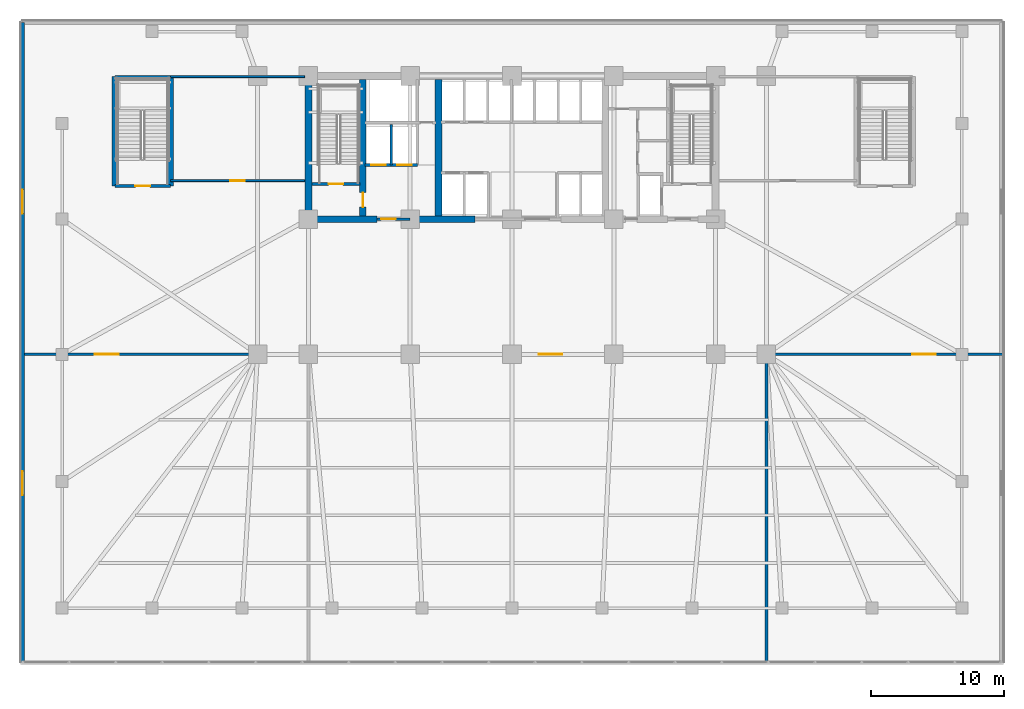
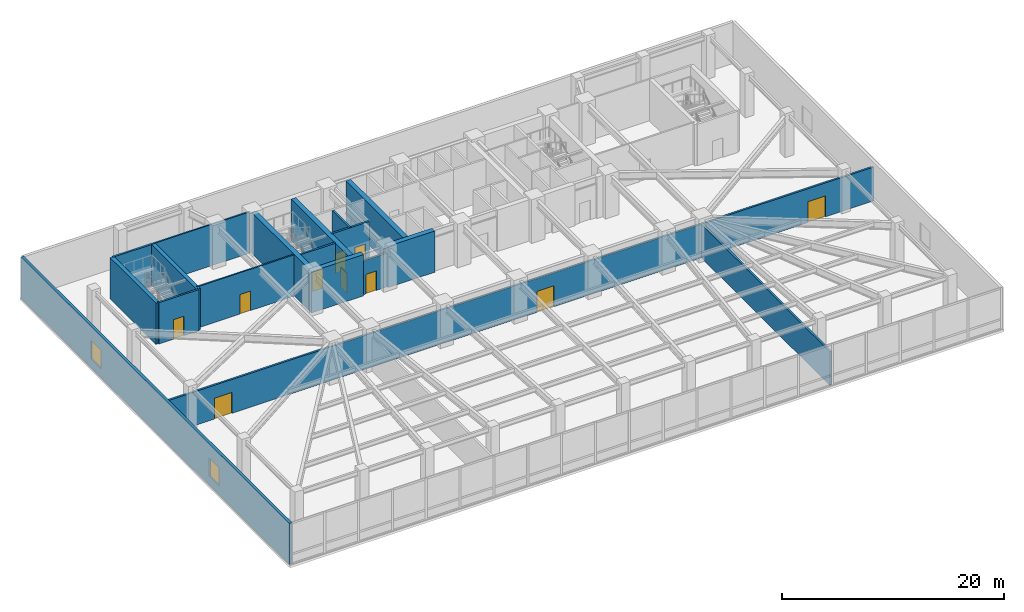
# One storey, part 12 of 19: 18 walls, 10 doors, 2 windows, 12 openings.
"""IFC4 building model written with IfcOpenShell, lengths in metres."""

from ifc_helpers import new_model, si_unit, direction, frame, frame_2d, origin, place, context, subcontext, project, spatial, rectangle, extrude, material, layer, layer_set, type_object, element, fill, save


model = new_model("IFC4")

# Units and contexts
model_context = context("Model", 3, precision=1e-05, world=origin(), true_north=direction((0.0, 1.0)))
body_context = subcontext(model_context, "Body", "Model", "MODEL_VIEW")
ifc_project = project(units=[si_unit("LENGTHUNIT", "METRE"), si_unit("AREAUNIT", "SQUARE_METRE"), si_unit("VOLUMEUNIT", "CUBIC_METRE"), si_unit("PLANEANGLEUNIT", "RADIAN"), si_unit("MASSUNIT", "GRAM", prefix="KILO")], contexts=[model_context])

# Site, building, storey
site_placement = place(None, origin())
site = spatial("IfcSite", under=ifc_project, at=site_placement, CompositionType="ELEMENT")
building_placement = place(site_placement, origin())
building = spatial("IfcBuilding", under=site, at=building_placement, Name="Yelkora Congress Tower", CompositionType="ELEMENT")
storey_placement = place(building_placement, frame((0.0, 0.0, 15.60009765625)))
storey = spatial("IfcBuildingStorey", under=building, at=storey_placement, Name="L03", CompositionType="ELEMENT", Elevation=15.60009765625)

# Walls
ifc_material_1 = material(Name="Concrete C50/60", Category="concrete")
ifc_layer_1 = layer(ifc_material_1, 0.39990234375)
ifc_layer_set_1 = layer_set([ifc_layer_1], Name="Concrete C50/60")
wall_type_1 = type_object("IfcWallType", Name="WALL-CORE-INT-400", PredefinedType="SHEAR", material=ifc_layer_set_1)
for number, where, z_axis, x_axis, name in (
    (1, (8.39990234375, 37.89990234375, 0.0), (0.0, 0.0, 1.0), (0.0, 1.0, 0.0), "L03 STP1 West Shear Wall"),
    (2, (12.659912109375, 37.89990234375, 0.0), (0.0, 0.0, 1.0), (0.0, 1.0, 0.0), "L03 STP1 East Shear Wall"),
):
    element("IfcWall", number, at=place(storey_placement, frame(where, z_axis=z_axis, x_axis=x_axis)), inside=storey, type_object=wall_type_1, Name=name, PredefinedType="SHEAR", context=body_context, shape_type="SweptSolid", body=[
        extrude(rectangle(XDim=8.25, YDim=0.39990234375, at=frame_2d((4.125, 0.0))), origin(), (0.0, 0.0, 1.0), 4.539794921875),
    ])
ifc_material_2 = material(Name="Concrete C60/75", Category="concrete")
ifc_layer_2 = layer(ifc_material_2, 0.5)
ifc_layer_set_2 = layer_set([ifc_layer_2], Name="Concrete C60/75")
wall_type_2 = type_object("IfcWallType", Name="WALL-CORE-INT-500", PredefinedType="SHEAR", material=ifc_layer_set_2)
wall_1_placement = place(storey_placement, frame((22.7900390625, 35.39990234375, 0.0), z_axis=(0.0, 0.0, 1.0), x_axis=(1.0, 0.0, 0.0)))
element("IfcWall", 3, at=wall_1_placement, inside=storey, type_object=wall_type_2, Name="L03 Rear Core South-West Shear Wall", PredefinedType="SHEAR", context=body_context, shape_type="SweptSolid", body=[
    extrude(rectangle(XDim=5.409912109375, YDim=0.5, at=frame_2d((2.705078125, 0.0))), origin(), (0.0, 0.0, 1.0), 4.539794921875),
])
wall_2_placement = place(storey_placement, frame((30.719970703125, 35.39990234375, 0.0), z_axis=(0.0, 0.0, 1.0), x_axis=(1.0, 0.0, 0.0)))
element("IfcWall", 4, at=wall_2_placement, inside=storey, type_object=wall_type_2, Name="L03 Rear Core South-Center Shear Pier", PredefinedType="SHEAR", context=body_context, shape_type="SweptSolid", body=[
    extrude(rectangle(XDim=4.880126953125, YDim=0.5, at=frame_2d((2.43994140625, 0.0))), origin(), (0.0, 0.0, 1.0), 4.539794921875),
])
wall_3_placement = place(storey_placement, frame((23.0400390625, 35.64990234375, 0.0), z_axis=(0.0, 0.0, 1.0), x_axis=(0.0, 1.0, 0.0)))
element("IfcWall", 5, at=wall_3_placement, inside=storey, type_object=wall_type_2, Name="L03 Rear Core Cross Shear Wall W", PredefinedType="SHEAR", context=body_context, shape_type="SweptSolid", body=[
    extrude(rectangle(XDim=10.300048828125, YDim=0.5, at=frame_2d((5.14990234375, 0.0))), origin(), (0.0, 0.0, 1.0), 4.539794921875),
])

# Wall, opening, door
wall_4_placement = place(storey_placement, frame((27.14990234375, 35.64990234375, 0.0), z_axis=(0.0, 0.0, 1.0), x_axis=(0.0, 1.0, 0.0)))
wall_4 = element("IfcWall", 6, at=wall_4_placement, inside=storey, type_object=wall_type_2, Name="L03 Rear Core Cross Shear Wall C1", PredefinedType="SHEAR", context=body_context, shape_type="SweptSolid", body=[
    extrude(rectangle(XDim=10.300048828125, YDim=0.5, at=frame_2d((5.14990234375, 0.0))), origin(), (0.0, 0.0, 1.0), 4.539794921875),
])
opening_1_placement = place(wall_4_placement, frame((0.64990234375, 0.0, 0.0)))
opening_1 = element("IfcOpeningElement", 7, at=opening_1_placement, cuts=wall_4, Name="Opening DR-110F9", PredefinedType="OPENING", context=body_context, shape_type="SweptSolid", body=[
    extrude(rectangle(XDim=1.10009765625, YDim=2.14990234375, at=frame_2d((0.550048828125, 1.074951171875))), frame((0.0, 0.260009765625, 0.0), z_axis=(0.0, -1.0, 0.0), x_axis=(1.0, 0.0, 0.0)), (0.0, 0.0, 1.0), 0.52001953125),
])
ifc_material_3 = material(Name="Galvanised steel fire door leaf", Category="steel")
door_type_1 = type_object("IfcDoorType", Name="DOOR-FD90-1100", OperationType="NOTDEFINED", PredefinedType="DOOR", material=ifc_material_3)
door_1_placement = place(opening_1_placement, origin())
door_1 = element("IfcDoor", 8, at=door_1_placement, inside=storey, type_object=door_type_1, Name="L03 Firefighting Stair Transfer Door", OperationType="SINGLE_SWING_LEFT", OverallHeight=2.14990234375, OverallWidth=1.10009765625, PredefinedType="DOOR", context=body_context, shape_type="SweptSolid", body=[
    extrude(rectangle(XDim=1.10009765625, YDim=2.14990234375, at=frame_2d((0.550048828125, 1.074951171875))), frame((0.0, 0.02490234375, 0.0), z_axis=(0.0, -1.0, 0.0), x_axis=(1.0, 0.0, 0.0)), (0.0, 0.0, 1.0), 0.050048828125),
])
fill(opening_1, door_1)

# Wall
wall_5_placement = place(storey_placement, frame((32.85009765625, 35.64990234375, 0.0), z_axis=(0.0, 0.0, 1.0), x_axis=(0.0, 1.0, 0.0)))
element("IfcWall", 9, at=wall_5_placement, inside=storey, type_object=wall_type_2, Name="L03 Rear Core Cross Shear Wall C2", PredefinedType="SHEAR", context=body_context, shape_type="SweptSolid", body=[
    extrude(rectangle(XDim=10.300048828125, YDim=0.5, at=frame_2d((5.14990234375, 0.0))), origin(), (0.0, 0.0, 1.0), 4.539794921875),
])

# Wall, openings, windows
ifc_material_4 = material(Name="Concrete C40/50", Category="concrete")
ifc_layer_3 = layer(ifc_material_4, 0.280029296875)
ifc_layer_set_3 = layer_set([ifc_layer_3], Name="Concrete C40/50")
wall_type_3 = type_object("IfcWallType", Name="WALL-EXT-LIMESTONE-280", PredefinedType="SOLIDWALL", material=ifc_layer_set_3)
wall_6_placement = place(storey_placement, frame((1.4599609375, 1.9599609375, 0.0), z_axis=(0.0, 0.0, 1.0), x_axis=(0.0, 1.0, 0.0)))
wall_6 = element("IfcWall", 10, at=wall_6_placement, inside=storey, type_object=wall_type_3, Name="L03 Podium Limestone Wall 1", PredefinedType="SOLIDWALL", context=body_context, shape_type="SweptSolid", body=[
    extrude(rectangle(XDim=48.280029296875, YDim=0.280029296875, at=frame_2d((24.14013671875, 0.0))), origin(), (0.0, 0.0, 1.0), 4.539794921875),
])
opening_2_placement = place(wall_6_placement, frame((12.618408203125, 0.0, 1.0)))
opening_2 = element("IfcOpeningElement", 11, at=opening_2_placement, cuts=wall_6, Name="Opening WN-18", PredefinedType="OPENING", context=body_context, shape_type="SweptSolid", body=[
    extrude(rectangle(XDim=1.800048828125, YDim=2.0, at=frame_2d((0.89990234375, 1.0))), frame((0.0, 0.14990234375, 0.0), z_axis=(0.0, -1.0, 0.0), x_axis=(1.0, 0.0, 0.0)), (0.0, 0.0, 1.0), 0.300048828125),
])
opening_3_placement = place(wall_6_placement, frame((33.861572265625, 0.0, 1.0)))
opening_3 = element("IfcOpeningElement", 12, at=opening_3_placement, cuts=wall_6, Name="Opening WN-18", PredefinedType="OPENING", context=body_context, shape_type="SweptSolid", body=[
    extrude(rectangle(XDim=1.800048828125, YDim=2.0, at=frame_2d((0.89990234375, 1.0))), frame((0.0, 0.14990234375, 0.0), z_axis=(0.0, -1.0, 0.0), x_axis=(1.0, 0.0, 0.0)), (0.0, 0.0, 1.0), 0.300048828125),
])
ifc_material_5 = material(Name="Thermally broken aluminium low-E window", Category="aluminium")
window_type = type_object("IfcWindowType", Name="WIN-POD-1800x2000", PartitioningType="SINGLE_PANEL", PredefinedType="WINDOW", material=ifc_material_5)
window_1_placement = place(opening_2_placement, origin())
window_1 = element("IfcWindow", 13, at=window_1_placement, inside=storey, type_object=window_type, Name="L03 Podium Facade Window 1-1", OverallHeight=2.0, OverallWidth=1.800048828125, PartitioningType="SINGLE_PANEL", PredefinedType="WINDOW", context=body_context, shape_type="SweptSolid", body=[
    extrude(rectangle(XDim=1.800048828125, YDim=2.0, at=frame_2d((0.89990234375, 1.0))), frame((0.0, 0.030029296875, 0.0), z_axis=(0.0, -1.0, 0.0), x_axis=(1.0, 0.0, 0.0)), (0.0, 0.0, 1.0), 0.06005859375),
])
fill(opening_2, window_1)
window_2_placement = place(opening_3_placement, origin())
window_2 = element("IfcWindow", 14, at=window_2_placement, inside=storey, type_object=window_type, Name="L03 Podium Facade Window 1-2", OverallHeight=2.0, OverallWidth=1.800048828125, PartitioningType="SINGLE_PANEL", PredefinedType="WINDOW", context=body_context, shape_type="SweptSolid", body=[
    extrude(rectangle(XDim=1.800048828125, YDim=2.0, at=frame_2d((0.89990234375, 1.0))), frame((0.0, 0.030029296875, 0.0), z_axis=(0.0, -1.0, 0.0), x_axis=(1.0, 0.0, 0.0)), (0.0, 0.0, 1.0), 0.06005859375),
])
fill(opening_3, window_2)

# Wall, opening, door
ifc_material_6 = material(Name="Acoustic metal-stud gypsum partition", Category="gypsum")
ifc_layer_4 = layer(ifc_material_6, 0.14990234375)
ifc_layer_set_4 = layer_set([ifc_layer_4], Name="Acoustic metal-stud gypsum partition")
wall_type_4 = type_object("IfcWallType", Name="WALL-INT-150-NR", PredefinedType="PARTITIONING", material=ifc_layer_set_4)
wall_7_placement = place(storey_placement, frame((12.64990234375, 38.300048828125, 0.0), z_axis=(0.0, 0.0, 1.0), x_axis=(1.0, 0.0, 0.0)))
wall_7 = element("IfcWall", 15, at=wall_7_placement, inside=storey, type_object=wall_type_4, Name="L03 Partition Wall 35", PredefinedType="PARTITIONING", context=body_context, shape_type="SweptSolid", body=[
    extrude(rectangle(XDim=10.10009765625, YDim=0.14990234375, at=frame_2d((5.050048828125, 0.0))), origin(), (0.0, 0.0, 1.0), 4.539794921875),
])
opening_4_placement = place(wall_7_placement, frame((4.5, 0.0, 0.0)))
opening_4 = element("IfcOpeningElement", 16, at=opening_4_placement, cuts=wall_7, Name="Opening DR-110N", PredefinedType="OPENING", context=body_context, shape_type="SweptSolid", body=[
    extrude(rectangle(XDim=1.10009765625, YDim=2.14990234375, at=frame_2d((0.550048828125, 1.074951171875))), frame((0.0, 0.0849609375, 0.0), z_axis=(0.0, -1.0, 0.0), x_axis=(1.0, 0.0, 0.0)), (0.0, 0.0, 1.0), 0.169921875),
])
ifc_material_7 = material(Name="Solid-core Anatolian oak veneer door", Category="wood")
door_type_2 = type_object("IfcDoorType", Name="DOOR-INT-1100", OperationType="NOTDEFINED", PredefinedType="DOOR", material=ifc_material_7)
door_2_placement = place(opening_4_placement, origin())
door_2 = element("IfcDoor", 17, at=door_2_placement, inside=storey, type_object=door_type_2, Name="L03 Interior Door 19", OperationType="SINGLE_SWING_LEFT", OverallHeight=2.14990234375, OverallWidth=1.10009765625, PredefinedType="DOOR", context=body_context, shape_type="SweptSolid", body=[
    extrude(rectangle(XDim=1.10009765625, YDim=2.14990234375, at=frame_2d((0.550048828125, 1.074951171875))), frame((0.0, 0.02490234375, 0.0), z_axis=(0.0, -1.0, 0.0), x_axis=(1.0, 0.0, 0.0)), (0.0, 0.0, 1.0), 0.050048828125),
])
fill(opening_4, door_2)

# Wall
wall_8_placement = place(storey_placement, frame((12.64990234375, 46.14990234375, 0.0), z_axis=(0.0, 0.0, 1.0), x_axis=(1.0, 0.0, 0.0)))
element("IfcWall", 18, at=wall_8_placement, inside=storey, type_object=wall_type_4, Name="L03 Partition Wall 36", PredefinedType="PARTITIONING", context=body_context, shape_type="SweptSolid", body=[
    extrude(rectangle(XDim=10.10009765625, YDim=0.14990234375, at=frame_2d((5.050048828125, 0.0))), origin(), (0.0, 0.0, 1.0), 4.539794921875),
])

# Wall, opening, door
ifc_material_8 = material(Name="Autoclaved aerated concrete blockwork", Category="masonry")
ifc_layer_5 = layer(ifc_material_8, 0.199951171875)
ifc_layer_set_5 = layer_set([ifc_layer_5], Name="Autoclaved aerated concrete blockwork")
wall_type_5 = type_object("IfcWallType", Name="WALL-INT-200-R120", PredefinedType="PARTITIONING", material=ifc_layer_set_5)
wall_9_placement = place(storey_placement, frame((23.300048828125, 38.050048828125, 0.0), z_axis=(0.0, 0.0, 1.0), x_axis=(1.0, 0.0, 0.0)))
wall_9 = element("IfcWall", 19, at=wall_9_placement, inside=storey, type_object=wall_type_5, Name="L03 Stair ST-01 Enclosure Wall", PredefinedType="PARTITIONING", context=body_context, shape_type="SweptSolid", body=[
    extrude(rectangle(XDim=3.619873046875, YDim=0.199951171875, at=frame_2d((1.81005859375, 0.0))), origin(), (0.0, 0.0, 1.0), 4.539794921875),
])
opening_5_placement = place(wall_9_placement, frame((1.260009765625, 0.0, 0.0)))
opening_5 = element("IfcOpeningElement", 20, at=opening_5_placement, cuts=wall_9, Name="Opening DR-110F9", PredefinedType="OPENING", context=body_context, shape_type="SweptSolid", body=[
    extrude(rectangle(XDim=1.10009765625, YDim=2.14990234375, at=frame_2d((0.550048828125, 1.074951171875))), frame((0.0, 0.10986328125, 0.0), z_axis=(0.0, -1.0, 0.0), x_axis=(1.0, 0.0, 0.0)), (0.0, 0.0, 1.0), 0.219970703125),
])
door_3_placement = place(opening_5_placement, origin())
door_3 = element("IfcDoor", 21, at=door_3_placement, inside=storey, type_object=door_type_1, Name="L03 Stair ST-01 Entry Door", OperationType="SINGLE_SWING_LEFT", OverallHeight=2.14990234375, OverallWidth=1.10009765625, PredefinedType="DOOR", context=body_context, shape_type="SweptSolid", body=[
    extrude(rectangle(XDim=1.10009765625, YDim=2.14990234375, at=frame_2d((0.550048828125, 1.074951171875))), frame((0.0, 0.02490234375, 0.0), z_axis=(0.0, -1.0, 0.0), x_axis=(1.0, 0.0, 0.0)), (0.0, 0.0, 1.0), 0.050048828125),
])
fill(opening_5, door_3)

wall_10_placement = place(storey_placement, frame((28.219970703125, 35.39990234375, 0.0), z_axis=(0.0, 0.0, 1.0), x_axis=(1.0, 0.0, 0.0)))
wall_10 = element("IfcWall", 22, at=wall_10_placement, inside=storey, type_object=wall_type_5, Name="L03 Firefighting Lobby South Wall", PredefinedType="PARTITIONING", context=body_context, shape_type="SweptSolid", body=[
    extrude(rectangle(XDim=2.5, YDim=0.199951171875, at=frame_2d((1.25, 0.0))), origin(), (0.0, 0.0, 1.0), 3.720947265625),
])
opening_6_placement = place(wall_10_placement, frame((0.300048828125, 0.0, 0.0)))
opening_6 = element("IfcOpeningElement", 23, at=opening_6_placement, cuts=wall_10, Name="Opening DR-110F9", PredefinedType="OPENING", context=body_context, shape_type="SweptSolid", body=[
    extrude(rectangle(XDim=1.10009765625, YDim=2.14990234375, at=frame_2d((0.550048828125, 1.074951171875))), frame((0.0, 0.10986328125, 0.0), z_axis=(0.0, -1.0, 0.0), x_axis=(1.0, 0.0, 0.0)), (0.0, 0.0, 1.0), 0.219970703125),
])
door_4_placement = place(opening_6_placement, origin())
door_4 = element("IfcDoor", 24, at=door_4_placement, inside=storey, type_object=door_type_1, Name="L03 Firefighting Lobby Corridor Door", OperationType="SINGLE_SWING_RIGHT", OverallHeight=2.14990234375, OverallWidth=1.10009765625, PredefinedType="DOOR", context=body_context, shape_type="SweptSolid", body=[
    extrude(rectangle(XDim=1.10009765625, YDim=2.14990234375, at=frame_2d((0.550048828125, 1.074951171875))), frame((0.0, 0.02490234375, 0.0), z_axis=(0.0, -1.0, 0.0), x_axis=(1.0, 0.0, 0.0)), (0.0, 0.0, 1.0), 0.050048828125),
])
fill(opening_6, door_4)

# Wall, openings, doors
wall_11_placement = place(storey_placement, frame((27.320068359375, 39.47998046875, 0.0), z_axis=(0.0, 0.0, 1.0), x_axis=(1.0, 0.0, 0.0)))
wall_11 = element("IfcWall", 25, at=wall_11_placement, inside=storey, type_object=wall_type_5, Name="L03 Firefighting Lift Front Wall", PredefinedType="PARTITIONING", context=body_context, shape_type="SweptSolid", body=[
    extrude(rectangle(XDim=3.93994140625, YDim=0.199951171875, at=frame_2d((1.969970703125, 0.0))), origin(), (0.0, 0.0, 1.0), 4.539794921875),
])
opening_7_placement = place(wall_11_placement, frame((0.449951171875, 0.0, 0.0)))
opening_7 = element("IfcOpeningElement", 26, at=opening_7_placement, cuts=wall_11, Name="Opening LD-FF11", PredefinedType="OPENING", context=body_context, shape_type="SweptSolid", body=[
    extrude(rectangle(XDim=1.10009765625, YDim=2.199951171875, at=frame_2d((0.550048828125, 1.10009765625))), frame((0.0, 0.10986328125, 0.0), z_axis=(0.0, -1.0, 0.0), x_axis=(1.0, 0.0, 0.0)), (0.0, 0.0, 1.0), 0.219970703125),
])
opening_8_placement = place(wall_11_placement, frame((2.409912109375, 0.0, 0.0)))
opening_8 = element("IfcOpeningElement", 27, at=opening_8_placement, cuts=wall_11, Name="Opening LD-FF11", PredefinedType="OPENING", context=body_context, shape_type="SweptSolid", body=[
    extrude(rectangle(XDim=1.10009765625, YDim=2.199951171875, at=frame_2d((0.550048828125, 1.10009765625))), frame((0.0, 0.10986328125, 0.0), z_axis=(0.0, -1.0, 0.0), x_axis=(1.0, 0.0, 0.0)), (0.0, 0.0, 1.0), 0.219970703125),
])
ifc_material_9 = material(Name="Brushed stainless steel 316L landing door", Category="steel")
door_type_3 = type_object("IfcDoorType", Name="DOOR-LIFT-FF-1100", OperationType="DOUBLE_DOOR_SLIDING", PredefinedType="DOOR", material=ifc_material_9)
door_5_placement = place(opening_7_placement, origin())
door_5 = element("IfcDoor", 28, at=door_5_placement, inside=storey, type_object=door_type_3, Name="Lift Landing Door LF-FF1 L03", OperationType="DOUBLE_DOOR_SLIDING", OverallHeight=2.199951171875, OverallWidth=1.10009765625, PredefinedType="DOOR", context=body_context, shape_type="SweptSolid", body=[
    extrude(rectangle(XDim=1.10009765625, YDim=2.199951171875, at=frame_2d((0.550048828125, 1.10009765625))), frame((0.0, 0.02490234375, 0.0), z_axis=(0.0, -1.0, 0.0), x_axis=(1.0, 0.0, 0.0)), (0.0, 0.0, 1.0), 0.050048828125),
])
fill(opening_7, door_5)
door_6_placement = place(opening_8_placement, origin())
door_6 = element("IfcDoor", 29, at=door_6_placement, inside=storey, type_object=door_type_3, Name="Lift Landing Door LF-FF2 L03", OperationType="DOUBLE_DOOR_SLIDING", OverallHeight=2.199951171875, OverallWidth=1.10009765625, PredefinedType="DOOR", context=body_context, shape_type="SweptSolid", body=[
    extrude(rectangle(XDim=1.10009765625, YDim=2.199951171875, at=frame_2d((0.550048828125, 1.10009765625))), frame((0.0, 0.02490234375, 0.0), z_axis=(0.0, -1.0, 0.0), x_axis=(1.0, 0.0, 0.0)), (0.0, 0.0, 1.0), 0.050048828125),
])
fill(opening_8, door_6)

# Wall
wall_12_placement = place(storey_placement, frame((29.300048828125, 39.47998046875, 0.0), z_axis=(0.0, 0.0, 1.0), x_axis=(0.0, 1.0, 0.0)))
element("IfcWall", 30, at=wall_12_placement, inside=storey, type_object=wall_type_5, Name="L03 Partition Wall 4", PredefinedType="PARTITIONING", context=body_context, shape_type="SweptSolid", body=[
    extrude(rectangle(XDim=3.070068359375, YDim=0.199951171875, at=frame_2d((1.53515625, 0.0))), origin(), (0.0, 0.0, 1.0), 4.539794921875),
])

# Wall, opening, door
wall_13_placement = place(storey_placement, frame((8.449951171875, 37.89990234375, 0.0), z_axis=(0.0, 0.0, 1.0), x_axis=(1.0, 0.0, 0.0)))
wall_13 = element("IfcWall", 31, at=wall_13_placement, inside=storey, type_object=wall_type_5, Name="L03 Partition Wall 31", PredefinedType="PARTITIONING", context=body_context, shape_type="SweptSolid", body=[
    extrude(rectangle(XDim=4.170166015625, YDim=0.199951171875, at=frame_2d((2.0849609375, 0.0))), origin(), (0.0, 0.0, 1.0), 4.539794921875),
])
opening_9_placement = place(wall_13_placement, frame((1.534912109375, 0.0, 0.0)))
opening_9 = element("IfcOpeningElement", 32, at=opening_9_placement, cuts=wall_13, Name="Opening DR-110F9", PredefinedType="OPENING", context=body_context, shape_type="SweptSolid", body=[
    extrude(rectangle(XDim=1.10009765625, YDim=2.14990234375, at=frame_2d((0.550048828125, 1.074951171875))), frame((0.0, 0.10986328125, 0.0), z_axis=(0.0, -1.0, 0.0), x_axis=(1.0, 0.0, 0.0)), (0.0, 0.0, 1.0), 0.219970703125),
])
door_7_placement = place(opening_9_placement, origin())
door_7 = element("IfcDoor", 33, at=door_7_placement, inside=storey, type_object=door_type_1, Name="L03 ST-P1 Door", OperationType="SINGLE_SWING_LEFT", OverallHeight=2.14990234375, OverallWidth=1.10009765625, PredefinedType="DOOR", context=body_context, shape_type="SweptSolid", body=[
    extrude(rectangle(XDim=1.10009765625, YDim=2.14990234375, at=frame_2d((0.550048828125, 1.074951171875))), frame((0.0, 0.02490234375, 0.0), z_axis=(0.0, -1.0, 0.0), x_axis=(1.0, 0.0, 0.0)), (0.0, 0.0, 1.0), 0.050048828125),
])
fill(opening_9, door_7)

# Walls
wall_14_placement = place(storey_placement, frame((8.449951171875, 46.14990234375, 0.0), z_axis=(0.0, 0.0, 1.0), x_axis=(1.0, 0.0, 0.0)))
element("IfcWall", 34, at=wall_14_placement, inside=storey, type_object=wall_type_5, Name="L03 Partition Wall 32", PredefinedType="PARTITIONING", context=body_context, shape_type="SweptSolid", body=[
    extrude(rectangle(XDim=4.170166015625, YDim=0.199951171875, at=frame_2d((2.0849609375, 0.0))), origin(), (0.0, 0.0, 1.0), 4.539794921875),
])
ifc_material_10 = material(Name="Autoclaved high-density acoustic blockwork", Category="masonry")
ifc_layer_6 = layer(ifc_material_10, 0.199951171875)
ifc_layer_set_6 = layer_set([ifc_layer_6], Name="Autoclaved high-density acoustic blockwork")
wall_type_6 = type_object("IfcWallType", Name="WALL-INT-200-R90", PredefinedType="PARTITIONING", material=ifc_layer_set_6)
wall_15_placement = place(storey_placement, frame((57.60009765625, 1.97998046875, 0.0), z_axis=(0.0, 0.0, 1.0), x_axis=(0.0, 1.0, 0.0)))
element("IfcWall", 35, at=wall_15_placement, inside=storey, type_object=wall_type_6, Name="L03 Partition Wall 40", PredefinedType="PARTITIONING", context=body_context, shape_type="SweptSolid", body=[
    extrude(rectangle(XDim=23.219970703125, YDim=0.199951171875, at=frame_2d((11.60986328125, 0.0))), origin(), (0.0, 0.0, 1.0), 3.720947265625),
])

# Wall, openings, doors
wall_16_placement = place(storey_placement, frame((1.3798828125, 25.199951171875, 0.0), z_axis=(0.0, 0.0, 1.0), x_axis=(1.0, 0.0, 0.0)))
wall_16 = element("IfcWall", 36, at=wall_16_placement, inside=storey, type_object=wall_type_6, Name="L03 Hall Spine Wall Grid D", PredefinedType="PARTITIONING", context=body_context, shape_type="SweptSolid", body=[
    extrude(rectangle(XDim=74.0400390625, YDim=0.199951171875, at=frame_2d((37.02001953125, 0.0))), origin(), (0.0, 0.0, 1.0), 3.720947265625),
])
opening_10_placement = place(wall_16_placement, frame((5.544921875, 0.0, 0.0)))
opening_10 = element("IfcOpeningElement", 37, at=opening_10_placement, cuts=wall_16, Name="Opening DR-180D", PredefinedType="OPENING", context=body_context, shape_type="SweptSolid", body=[
    extrude(rectangle(XDim=1.800048828125, YDim=2.300048828125, at=frame_2d((0.89990234375, 1.14990234375))), frame((0.0, 0.10986328125, 0.0), z_axis=(0.0, -1.0, 0.0), x_axis=(1.0, 0.0, 0.0)), (0.0, 0.0, 1.0), 0.219970703125),
])
opening_11_placement = place(wall_16_placement, frame((39.023193359375, 0.0, 0.0)))
opening_11 = element("IfcOpeningElement", 38, at=opening_11_placement, cuts=wall_16, Name="Opening DR-180D", PredefinedType="OPENING", context=body_context, shape_type="SweptSolid", body=[
    extrude(rectangle(XDim=1.800048828125, YDim=2.300048828125, at=frame_2d((0.89990234375, 1.14990234375))), frame((0.0, 0.10986328125, 0.0), z_axis=(0.0, -1.0, 0.0), x_axis=(1.0, 0.0, 0.0)), (0.0, 0.0, 1.0), 0.219970703125),
])
opening_12_placement = place(wall_16_placement, frame((67.20556640625, 0.0, 0.0)))
opening_12 = element("IfcOpeningElement", 39, at=opening_12_placement, cuts=wall_16, Name="Opening DR-180D", PredefinedType="OPENING", context=body_context, shape_type="SweptSolid", body=[
    extrude(rectangle(XDim=1.800048828125, YDim=2.300048828125, at=frame_2d((0.89990234375, 1.14990234375))), frame((0.0, 0.10986328125, 0.0), z_axis=(0.0, -1.0, 0.0), x_axis=(1.0, 0.0, 0.0)), (0.0, 0.0, 1.0), 0.219970703125),
])
ifc_material_11 = material(Name="Acoustic double congress hall doors", Category="wood")
door_type_4 = type_object("IfcDoorType", Name="DOOR-DBL-1800", OperationType="DOUBLE_DOOR_SINGLE_SWING", PredefinedType="DOOR", material=ifc_material_11)
door_8_placement = place(opening_10_placement, origin())
door_8 = element("IfcDoor", 40, at=door_8_placement, inside=storey, type_object=door_type_4, Name="L03 Reception Lounge Entrance Door", OperationType="DOUBLE_DOOR_SINGLE_SWING", OverallHeight=2.300048828125, OverallWidth=1.800048828125, PredefinedType="DOOR", context=body_context, shape_type="SweptSolid", body=[
    extrude(rectangle(XDim=1.800048828125, YDim=2.300048828125, at=frame_2d((0.89990234375, 1.14990234375))), frame((0.0, 0.02490234375, 0.0), z_axis=(0.0, -1.0, 0.0), x_axis=(1.0, 0.0, 0.0)), (0.0, 0.0, 1.0), 0.050048828125),
])
fill(opening_10, door_8)
door_9_placement = place(opening_11_placement, origin())
door_9 = element("IfcDoor", 41, at=door_9_placement, inside=storey, type_object=door_type_4, Name="L03 Grand Banquet Ballroom Entrance Door", OperationType="DOUBLE_DOOR_SINGLE_SWING", OverallHeight=2.300048828125, OverallWidth=1.800048828125, PredefinedType="DOOR", context=body_context, shape_type="SweptSolid", body=[
    extrude(rectangle(XDim=1.800048828125, YDim=2.300048828125, at=frame_2d((0.89990234375, 1.14990234375))), frame((0.0, 0.02490234375, 0.0), z_axis=(0.0, -1.0, 0.0), x_axis=(1.0, 0.0, 0.0)), (0.0, 0.0, 1.0), 0.050048828125),
])
fill(opening_11, door_9)
door_10_placement = place(opening_12_placement, origin())
door_10 = element("IfcDoor", 42, at=door_10_placement, inside=storey, type_object=door_type_4, Name="L03 AV & Production Suite Entrance Door", OperationType="DOUBLE_DOOR_SINGLE_SWING", OverallHeight=2.300048828125, OverallWidth=1.800048828125, PredefinedType="DOOR", context=body_context, shape_type="SweptSolid", body=[
    extrude(rectangle(XDim=1.800048828125, YDim=2.300048828125, at=frame_2d((0.89990234375, 1.14990234375))), frame((0.0, 0.02490234375, 0.0), z_axis=(0.0, -1.0, 0.0), x_axis=(1.0, 0.0, 0.0)), (0.0, 0.0, 1.0), 0.050048828125),
])
fill(opening_12, door_10)

save(model, "model.ifc")
